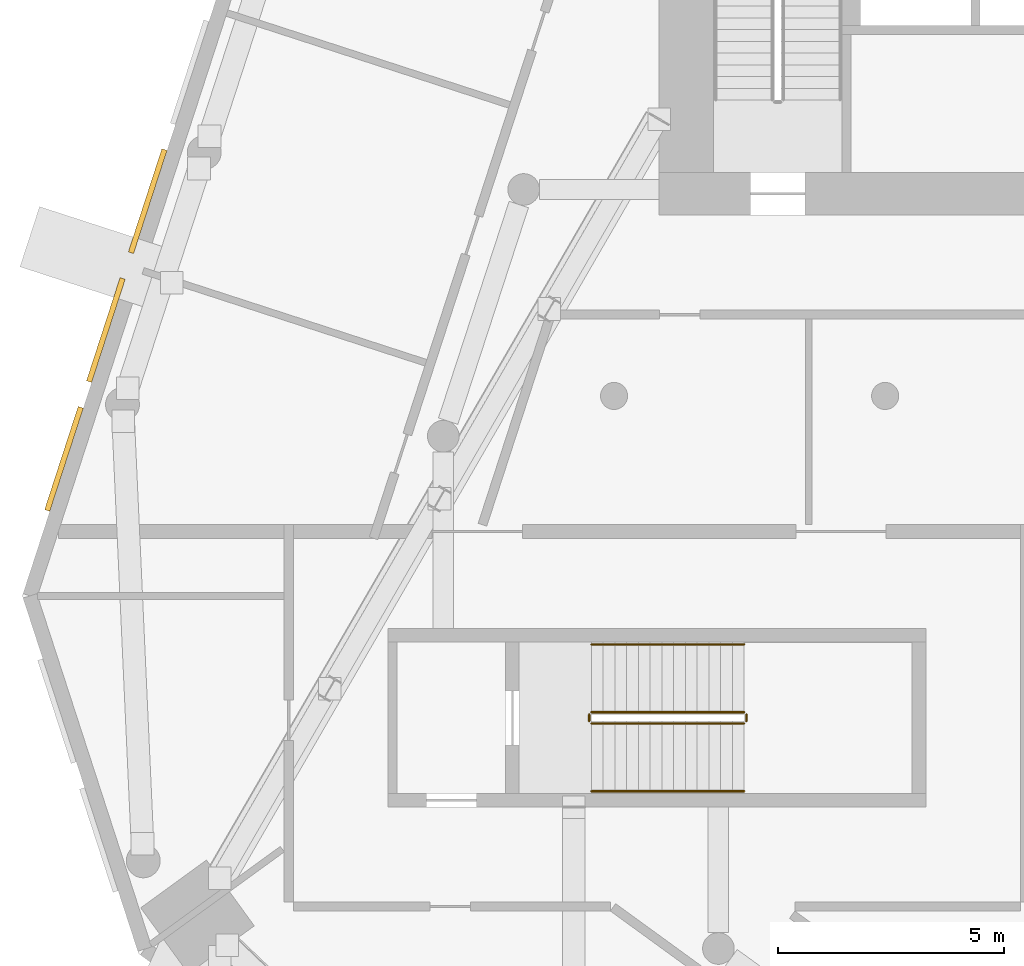
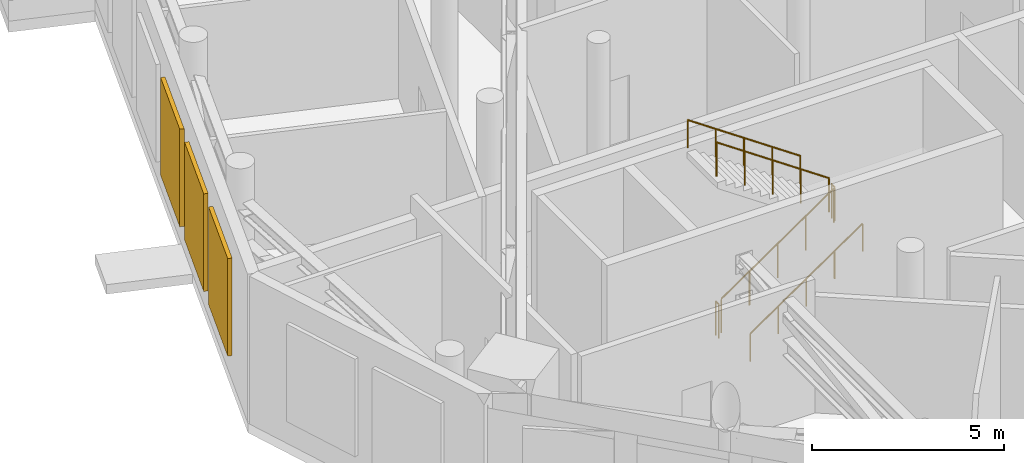
# One storey, part 14 of 17: 6 railings, 3 shading devices.
"""IFC4 building model written with IfcOpenShell, lengths in metres."""

from ifc_helpers import new_model, si_unit, direction, frame, origin, origin_2d, place, context, subcontext, project, spatial, rectangle, circle, extrude, material, type_object, element, save


model = new_model("IFC4")

# Units and contexts
model_context = context("Model", 3, precision=1e-05, world=origin(), true_north=direction((0.0, 1.0)))
body_context = subcontext(model_context, "Body", "Model", "MODEL_VIEW")
ifc_project = project(units=[si_unit("LENGTHUNIT", "METRE"), si_unit("AREAUNIT", "SQUARE_METRE"), si_unit("VOLUMEUNIT", "CUBIC_METRE"), si_unit("PLANEANGLEUNIT", "RADIAN"), si_unit("MASSUNIT", "GRAM", prefix="KILO")], contexts=[model_context])

# Site, building, storey
site_placement = place(None, origin())
site = spatial("IfcSite", under=ifc_project, at=site_placement, CompositionType="ELEMENT")
building_placement = place(site_placement, origin())
building = spatial("IfcBuilding", under=site, at=building_placement, Name="White Candle Pilgrim Tower", CompositionType="ELEMENT")
storey_placement = place(building_placement, frame((0.0, 0.0, 191.5)))
storey = spatial("IfcBuildingStorey", under=building, at=storey_placement, Name="L44", CompositionType="ELEMENT", Elevation=191.5)

# Shading devices
ifc_material_1 = material(Name="Aluminium", Category="aluminium")
shading_device_type = type_object("IfcShadingDeviceType", Name="Plant louvre LV2 2400x3100 aluminium framed", PredefinedType="USERDEFINED", material=ifc_material_1)
for number, where, z_axis, x_axis, name in (
    (1, (47.678955078125, 71.312255859375, 0.800048828125), (0.0, 0.0, 1.0), (-0.309017016385, -0.951056509144, 0.0), "Plant louvre L44 WNW 4"),
    (2, (46.751953125, 68.458984375, 0.800048828125), (0.0, 0.0, 1.0), (-0.309017016385, -0.951056509144, 0.0), "Plant louvre L44 WNW 5"),
    (3, (45.824951171875, 65.605712890625, 0.800048828125), (0.0, 0.0, 1.0), (-0.309017016385, -0.951056509144, 0.0), "Plant louvre L44 WNW 6"),
):
    element("IfcShadingDevice", number, at=place(storey_placement, frame(where, z_axis=z_axis, x_axis=x_axis)), inside=storey, type_object=shading_device_type, Name=name, ObjectType="LOUVRE", PredefinedType="USERDEFINED", context=body_context, shape_type="SweptSolid", body=[
        extrude(rectangle(XDim=2.39990234375, YDim=0.1201171875, at=origin_2d()), origin(), (0.0, 0.0, 1.0), 3.10009765625),
    ])

# Railings
ifc_material_2 = material(Name="Stainless steel", Category="steel")
railing_type_1 = type_object("IfcRailingType", Name="Stair guard stainless steel 1100 mm", PredefinedType="GUARDRAIL", material=ifc_material_2)
railing_1_placement = place(storey_placement, frame((57.5, 59.75, 0.178466796875)))
element("IfcRailing", 4, at=railing_1_placement, inside=storey, type_object=railing_type_1, Name="L44 ST5 stair guard 1", PredefinedType="GUARDRAIL", context=body_context, shape_type="SweptSolid", body=[
    extrude(circle(Radius=0.02392578125, at=origin_2d()), frame((0.0, 0.0, 1.076171875), z_axis=(0.824285065979, 0.0, 0.566174999451), x_axis=(0.0, 1.0, 0.0)), (0.0, 0.0, 1.0), 4.100341796875),
    extrude(circle(Radius=0.02099609375, at=origin_2d()), origin(), (0.0, 0.0, 1.0), 1.052001953125),
    extrude(circle(Radius=0.02099609375, at=origin_2d()), frame((0.844970703125, 0.0, 0.580322265625)), (0.0, 0.0, 1.0), 1.052001953125),
    extrude(circle(Radius=0.02099609375, at=origin_2d()), frame((1.68994140625, 0.0, 1.16064453125)), (0.0, 0.0, 1.0), 1.052001953125),
    extrude(circle(Radius=0.02099609375, at=origin_2d()), frame((2.534912109375, 0.0, 1.7412109375)), (0.0, 0.0, 1.0), 1.052001953125),
    extrude(circle(Radius=0.02099609375, at=origin_2d()), frame((3.3798828125, 0.0, 2.321533203125)), (0.0, 0.0, 1.0), 1.052001953125),
])
railing_2_placement = place(storey_placement, frame((60.929931640625, 59.800048828125, 2.5)))
element("IfcRailing", 5, at=railing_2_placement, inside=storey, type_object=railing_type_1, Name="L44 ST5 stair guard 2", PredefinedType="GUARDRAIL", context=body_context, shape_type="SweptSolid", body=[
    extrude(circle(Radius=0.02392578125, at=origin_2d()), frame((0.0, 0.0, 1.076171875), z_axis=(0.0, 1.0, 0.0), x_axis=(-1.0, 0.0, 0.0)), (0.0, 0.0, 1.0), 0.14990234375),
    extrude(circle(Radius=0.02099609375, at=origin_2d()), origin(), (0.0, 0.0, 1.0), 1.052001953125),
    extrude(circle(Radius=0.02099609375, at=origin_2d()), frame((0.0, 0.14990234375, 0.0)), (0.0, 0.0, 1.0), 1.052001953125),
])
railing_3_placement = place(storey_placement, frame((60.8798828125, 60.0, 2.678466796875)))
element("IfcRailing", 6, at=railing_3_placement, inside=storey, type_object=railing_type_1, Name="L44 ST5 stair guard 3", PredefinedType="GUARDRAIL", context=body_context, shape_type="SweptSolid", body=[
    extrude(circle(Radius=0.02392578125, at=origin_2d()), frame((0.0, 0.0, 1.076171875), z_axis=(-0.824285065979, 0.0, 0.566174999451), x_axis=(0.0, -1.0, 0.0)), (0.0, 0.0, 1.0), 4.100341796875),
    extrude(circle(Radius=0.02099609375, at=origin_2d()), origin(), (0.0, 0.0, 1.0), 1.052001953125),
    extrude(circle(Radius=0.02099609375, at=origin_2d()), frame((-0.844970703125, 0.0, 0.580322265625)), (0.0, 0.0, 1.0), 1.052001953125),
    extrude(circle(Radius=0.02099609375, at=origin_2d()), frame((-1.68994140625, 0.0, 1.16064453125)), (0.0, 0.0, 1.0), 1.052001953125),
    extrude(circle(Radius=0.02099609375, at=origin_2d()), frame((-2.534912109375, 0.0, 1.7412109375)), (0.0, 0.0, 1.0), 1.052001953125),
    extrude(circle(Radius=0.02099609375, at=origin_2d()), frame((-3.3798828125, 0.0, 2.321533203125)), (0.0, 0.0, 1.0), 1.052001953125),
])
railing_4_placement = place(storey_placement, frame((57.449951171875, 59.800048828125, 0.0)))
element("IfcRailing", 7, at=railing_4_placement, inside=storey, type_object=railing_type_1, Name="L44 ST5 stair guard 4", PredefinedType="GUARDRAIL", context=body_context, shape_type="SweptSolid", body=[
    extrude(circle(Radius=0.02392578125, at=origin_2d()), frame((0.0, 0.0, 1.076171875), z_axis=(0.0, 1.0, 0.0), x_axis=(-1.0, 0.0, 0.0)), (0.0, 0.0, 1.0), 0.14990234375),
    extrude(circle(Radius=0.02099609375, at=origin_2d()), origin(), (0.0, 0.0, 1.0), 1.052001953125),
    extrude(circle(Radius=0.02099609375, at=origin_2d()), frame((0.0, 0.14990234375, 0.0)), (0.0, 0.0, 1.0), 1.052001953125),
])
railing_type_2 = type_object("IfcRailingType", Name="Stair handrail stainless steel", PredefinedType="HANDRAIL", material=ifc_material_2)
railing_5_placement = place(storey_placement, frame((57.5, 58.25, 0.178466796875)))
element("IfcRailing", 8, at=railing_5_placement, inside=storey, type_object=railing_type_2, Name="L44 ST5 stair handrail 1", PredefinedType="HANDRAIL", context=body_context, shape_type="SweptSolid", body=[
    extrude(circle(Radius=0.02392578125, at=origin_2d()), frame((0.0, 0.0, 0.8759765625), z_axis=(0.824285065979, 0.0, 0.566174999451), x_axis=(0.0, 1.0, 0.0)), (0.0, 0.0, 1.0), 4.100341796875),
    extrude(circle(Radius=0.02099609375, at=origin_2d()), origin(), (0.0, 0.0, 1.0), 0.851806640625),
    extrude(circle(Radius=0.02099609375, at=origin_2d()), frame((0.844970703125, 0.0, 0.580322265625)), (0.0, 0.0, 1.0), 0.851806640625),
    extrude(circle(Radius=0.02099609375, at=origin_2d()), frame((1.68994140625, 0.0, 1.16064453125)), (0.0, 0.0, 1.0), 0.851806640625),
    extrude(circle(Radius=0.02099609375, at=origin_2d()), frame((2.534912109375, 0.0, 1.7412109375)), (0.0, 0.0, 1.0), 0.851806640625),
    extrude(circle(Radius=0.02099609375, at=origin_2d()), frame((3.3798828125, 0.0, 2.321533203125)), (0.0, 0.0, 1.0), 0.851806640625),
])
railing_6_placement = place(storey_placement, frame((60.8798828125, 61.5, 2.678466796875)))
element("IfcRailing", 9, at=railing_6_placement, inside=storey, type_object=railing_type_2, Name="L44 ST5 stair handrail 2", PredefinedType="HANDRAIL", context=body_context, shape_type="SweptSolid", body=[
    extrude(circle(Radius=0.02392578125, at=origin_2d()), frame((0.0, 0.0, 0.8759765625), z_axis=(-0.824285065979, 0.0, 0.566174999451), x_axis=(0.0, -1.0, 0.0)), (0.0, 0.0, 1.0), 4.100341796875),
    extrude(circle(Radius=0.02099609375, at=origin_2d()), origin(), (0.0, 0.0, 1.0), 0.851806640625),
    extrude(circle(Radius=0.02099609375, at=origin_2d()), frame((-0.844970703125, 0.0, 0.580322265625)), (0.0, 0.0, 1.0), 0.851806640625),
    extrude(circle(Radius=0.02099609375, at=origin_2d()), frame((-1.68994140625, 0.0, 1.16064453125)), (0.0, 0.0, 1.0), 0.851806640625),
    extrude(circle(Radius=0.02099609375, at=origin_2d()), frame((-2.534912109375, 0.0, 1.7412109375)), (0.0, 0.0, 1.0), 0.851806640625),
    extrude(circle(Radius=0.02099609375, at=origin_2d()), frame((-3.3798828125, 0.0, 2.321533203125)), (0.0, 0.0, 1.0), 0.851806640625),
])

save(model, "model.ifc")
